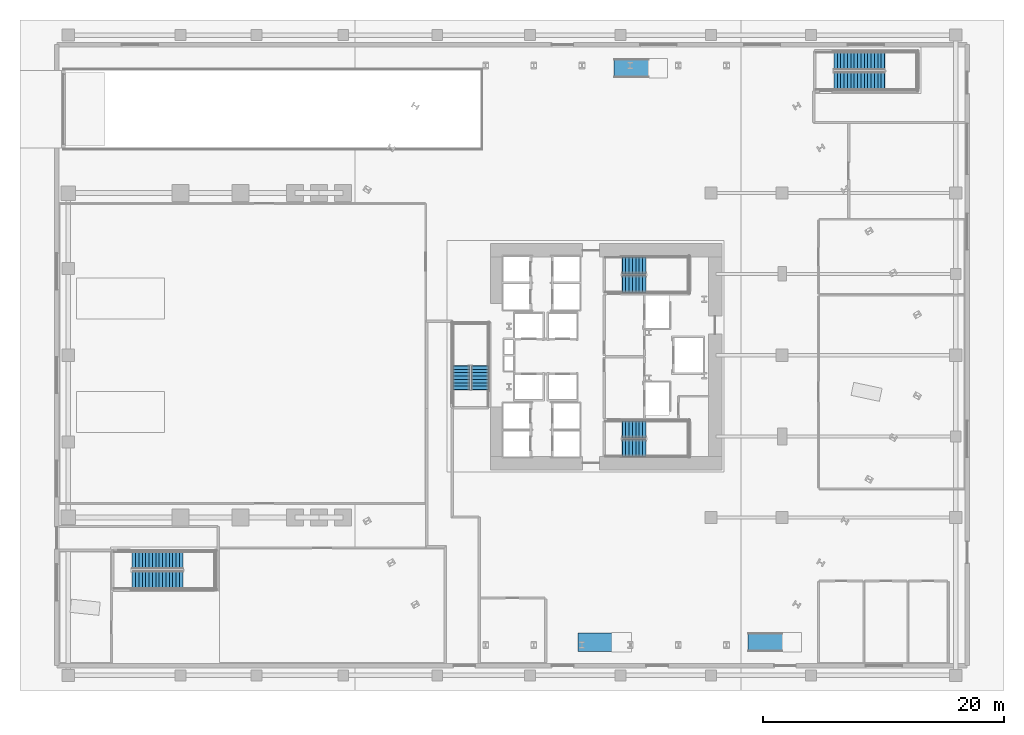
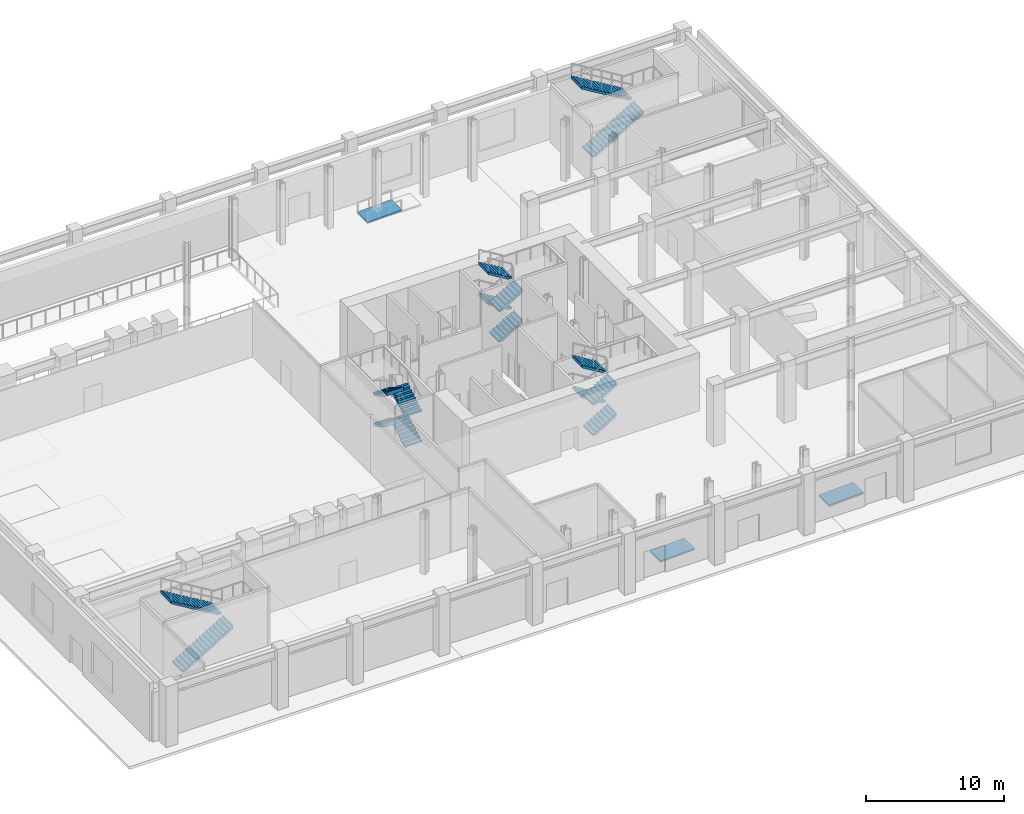
# One storey, part 8 of 18: 16 stair flights, 3 ramp flights, 8 elements without a shape of their own.
"""IFC4 building model written with IfcOpenShell, lengths in metres."""

from ifc_helpers import new_model, si_unit, direction, frame, origin, place, context, subcontext, project, spatial, polyline, outline, extrude, polygons, material, layer, layer_set, type_object, element, aggregate, save


model = new_model("IFC4")

# Units and contexts
model_context = context("Model", 3, precision=1e-05, world=origin(), true_north=direction((0.0, 1.0)))
body_context = subcontext(model_context, "Body", "Model", "MODEL_VIEW")
ifc_project = project(units=[si_unit("LENGTHUNIT", "METRE"), si_unit("AREAUNIT", "SQUARE_METRE"), si_unit("VOLUMEUNIT", "CUBIC_METRE"), si_unit("PLANEANGLEUNIT", "RADIAN"), si_unit("MASSUNIT", "GRAM", prefix="KILO")], contexts=[model_context])

# Site, building, storey
site_placement = place(None, origin())
site = spatial("IfcSite", under=ifc_project, at=site_placement, CompositionType="ELEMENT")
building_placement = place(site_placement, origin())
building = spatial("IfcBuilding", under=site, at=building_placement, Name="Valkerne Bourse Tower", CompositionType="ELEMENT")
storey_placement = place(building_placement, origin())
storey = spatial("IfcBuildingStorey", under=building, at=storey_placement, Name="L00", CompositionType="ELEMENT", Elevation=0.0)

# Stair, stair flights
ifc_material = material(Name="Concrete C40/50", Category="concrete")
stair_type_1 = type_object("IfcStairType", Name="ST-CORE-1400", PredefinedType="HALF_TURN_STAIR", material=ifc_material)
stair_1_placement = place(storey_placement, origin())
stair_1 = element("IfcStair", 1, at=stair_1_placement, inside=storey, type_object=stair_type_1, Name="L00 ST-1", PredefinedType="HALF_TURN_STAIR")
stair_flight_type_1 = type_object("IfcStairFlightType", Name="STF-CORE-1400", PredefinedType="STRAIGHT", material=ifc_material)
stair_flight_1_placement = place(storey_placement, frame((48.14990234375, 19.300048828125, 0.0), z_axis=(0.0, 0.0, 1.0), x_axis=(1.0, 0.0, 0.0)))
stair_flight_1 = element("IfcStairFlight", 2, at=stair_flight_1_placement, type_object=stair_flight_type_1, Name="ST-1 flight 1", NumberOfRisers=8, NumberOfTreads=7, PredefinedType="STRAIGHT", RiserHeight=0.16875, TreadLength=0.28, context=body_context, shape_type="SweptSolid", body=[
    extrude(outline(polyline([(-0.02001953125, 0.0), (-0.02001953125, 0.044921875), (0.0, 0.044921875), (0.0, 0.168701171875), (0.280029296875, 0.168701171875), (0.280029296875, 0.33740234375), (0.56005859375, 0.33740234375), (0.56005859375, 0.50634765625), (0.840087890625, 0.50634765625), (0.840087890625, 0.675048828125), (1.1201171875, 0.675048828125), (1.1201171875, 0.84375), (1.39990234375, 0.84375), (1.39990234375, 1.012451171875), (1.679931640625, 1.012451171875), (1.679931640625, 1.18115234375), (1.9599609375, 1.18115234375), (1.9599609375, 1.35009765625), (1.97998046875, 1.35009765625), (1.97998046875, 1.22998046875), (1.9599609375, 1.00634765625), (0.29052734375, 0.0), (-0.02001953125, 0.0)])), frame((0.0, 0.699951171875, 0.0), z_axis=(0.0, -1.0, 0.0), x_axis=(1.0, 0.0, 0.0)), (0.0, 0.0, 1.0), 1.39990234375),
])
stair_flight_2_placement = place(storey_placement, frame((50.110107421875, 20.85009765625, 1.35009765625), z_axis=(0.0, 0.0, 1.0), x_axis=(-1.0, 0.0, 0.0)))
stair_flight_2 = element("IfcStairFlight", 3, at=stair_flight_2_placement, type_object=stair_flight_type_1, Name="ST-1 flight 2", NumberOfRisers=8, NumberOfTreads=7, PredefinedType="STRAIGHT", RiserHeight=0.16875, TreadLength=0.28, context=body_context, shape_type="SweptSolid", body=[
    extrude(outline(polyline([(-0.02001953125, 0.0), (-0.02001953125, 0.044921875), (0.0, 0.044921875), (0.0, 0.168701171875), (0.280029296875, 0.168701171875), (0.280029296875, 0.33740234375), (0.56005859375, 0.33740234375), (0.56005859375, 0.50634765625), (0.840087890625, 0.50634765625), (0.840087890625, 0.675048828125), (1.1201171875, 0.675048828125), (1.1201171875, 0.84375), (1.39990234375, 0.84375), (1.39990234375, 1.012451171875), (1.679931640625, 1.012451171875), (1.679931640625, 1.18115234375), (1.9599609375, 1.18115234375), (1.9599609375, 1.35009765625), (1.97998046875, 1.35009765625), (1.97998046875, 1.22998046875), (1.9599609375, 1.00634765625), (0.29052734375, 0.0), (-0.02001953125, 0.0)])), frame((0.0, 0.699951171875, 0.0), z_axis=(0.0, -1.0, 0.0), x_axis=(1.0, 0.0, 0.0)), (0.0, 0.0, 1.0), 1.39990234375),
])
stair_flight_3_placement = place(storey_placement, frame((48.14990234375, 19.300048828125, 2.699951171875), z_axis=(0.0, 0.0, 1.0), x_axis=(1.0, 0.0, 0.0)))
stair_flight_3 = element("IfcStairFlight", 4, at=stair_flight_3_placement, type_object=stair_flight_type_1, Name="ST-1 flight 3", NumberOfRisers=8, NumberOfTreads=7, PredefinedType="STRAIGHT", RiserHeight=0.16875, TreadLength=0.28, context=body_context, shape_type="SweptSolid", body=[
    extrude(outline(polyline([(-0.02001953125, 0.0), (-0.02001953125, 0.044921875), (0.0, 0.044921875), (0.0, 0.168701171875), (0.280029296875, 0.168701171875), (0.280029296875, 0.33740234375), (0.56005859375, 0.33740234375), (0.56005859375, 0.50634765625), (0.840087890625, 0.50634765625), (0.840087890625, 0.675048828125), (1.1201171875, 0.675048828125), (1.1201171875, 0.84375), (1.39990234375, 0.84375), (1.39990234375, 1.012451171875), (1.679931640625, 1.012451171875), (1.679931640625, 1.18115234375), (1.9599609375, 1.18115234375), (1.9599609375, 1.35009765625), (1.97998046875, 1.35009765625), (1.97998046875, 1.22998046875), (1.9599609375, 1.00634765625), (0.29052734375, 0.0), (-0.02001953125, 0.0)])), frame((0.0, 0.699951171875, 0.0), z_axis=(0.0, -1.0, 0.0), x_axis=(1.0, 0.0, 0.0)), (0.0, 0.0, 1.0), 1.39990234375),
])
stair_flight_4_placement = place(storey_placement, frame((50.110107421875, 20.85009765625, 4.050048828125), z_axis=(0.0, 0.0, 1.0), x_axis=(-1.0, 0.0, 0.0)))
stair_flight_4 = element("IfcStairFlight", 5, at=stair_flight_4_placement, type_object=stair_flight_type_1, Name="ST-1 flight 4", NumberOfRisers=8, NumberOfTreads=7, PredefinedType="STRAIGHT", RiserHeight=0.16875, TreadLength=0.28, context=body_context, shape_type="SweptSolid", body=[
    extrude(outline(polyline([(-0.02001953125, 0.0), (-0.02001953125, 0.044921875), (0.0, 0.044921875), (0.0, 0.168701171875), (0.280029296875, 0.168701171875), (0.280029296875, 0.33740234375), (0.56005859375, 0.33740234375), (0.56005859375, 0.50634765625), (0.840087890625, 0.50634765625), (0.840087890625, 0.675048828125), (1.1201171875, 0.675048828125), (1.1201171875, 0.84375), (1.39990234375, 0.84375), (1.39990234375, 1.012451171875), (1.679931640625, 1.012451171875), (1.679931640625, 1.18115234375), (1.9599609375, 1.18115234375), (1.9599609375, 1.35009765625), (1.97998046875, 1.35009765625), (1.97998046875, 1.22998046875), (1.9599609375, 1.00634765625), (0.29052734375, 0.0), (-0.02001953125, 0.0)])), frame((0.0, 0.699951171875, 0.0), z_axis=(0.0, -1.0, 0.0), x_axis=(1.0, 0.0, 0.0)), (0.0, 0.0, 1.0), 1.39990234375),
])
aggregate(stair_1, [stair_flight_1, stair_flight_2, stair_flight_3, stair_flight_4])

stair_2_placement = place(storey_placement, origin())
stair_2 = element("IfcStair", 6, at=stair_2_placement, inside=storey, type_object=stair_type_1, Name="L00 ST-2", PredefinedType="HALF_TURN_STAIR")
stair_flight_5_placement = place(storey_placement, frame((48.14990234375, 32.89990234375, 0.0), z_axis=(0.0, 0.0, 1.0), x_axis=(1.0, 0.0, 0.0)))
stair_flight_5 = element("IfcStairFlight", 7, at=stair_flight_5_placement, type_object=stair_flight_type_1, Name="ST-2 flight 1", NumberOfRisers=8, NumberOfTreads=7, PredefinedType="STRAIGHT", RiserHeight=0.16875, TreadLength=0.28, context=body_context, shape_type="SweptSolid", body=[
    extrude(outline(polyline([(-0.02001953125, 0.0), (-0.02001953125, 0.044921875), (0.0, 0.044921875), (0.0, 0.168701171875), (0.280029296875, 0.168701171875), (0.280029296875, 0.33740234375), (0.56005859375, 0.33740234375), (0.56005859375, 0.50634765625), (0.840087890625, 0.50634765625), (0.840087890625, 0.675048828125), (1.1201171875, 0.675048828125), (1.1201171875, 0.84375), (1.39990234375, 0.84375), (1.39990234375, 1.012451171875), (1.679931640625, 1.012451171875), (1.679931640625, 1.18115234375), (1.9599609375, 1.18115234375), (1.9599609375, 1.35009765625), (1.97998046875, 1.35009765625), (1.97998046875, 1.22998046875), (1.9599609375, 1.00634765625), (0.29052734375, 0.0), (-0.02001953125, 0.0)])), frame((0.0, 0.699951171875, 0.0), z_axis=(0.0, -1.0, 0.0), x_axis=(1.0, 0.0, 0.0)), (0.0, 0.0, 1.0), 1.39990234375),
])
stair_flight_6_placement = place(storey_placement, frame((50.110107421875, 34.449951171875, 1.35009765625), z_axis=(0.0, 0.0, 1.0), x_axis=(-1.0, 0.0, 0.0)))
stair_flight_6 = element("IfcStairFlight", 8, at=stair_flight_6_placement, type_object=stair_flight_type_1, Name="ST-2 flight 2", NumberOfRisers=8, NumberOfTreads=7, PredefinedType="STRAIGHT", RiserHeight=0.16875, TreadLength=0.28, context=body_context, shape_type="SweptSolid", body=[
    extrude(outline(polyline([(-0.02001953125, 0.0), (-0.02001953125, 0.044921875), (0.0, 0.044921875), (0.0, 0.168701171875), (0.280029296875, 0.168701171875), (0.280029296875, 0.33740234375), (0.56005859375, 0.33740234375), (0.56005859375, 0.50634765625), (0.840087890625, 0.50634765625), (0.840087890625, 0.675048828125), (1.1201171875, 0.675048828125), (1.1201171875, 0.84375), (1.39990234375, 0.84375), (1.39990234375, 1.012451171875), (1.679931640625, 1.012451171875), (1.679931640625, 1.18115234375), (1.9599609375, 1.18115234375), (1.9599609375, 1.35009765625), (1.97998046875, 1.35009765625), (1.97998046875, 1.22998046875), (1.9599609375, 1.00634765625), (0.29052734375, 0.0), (-0.02001953125, 0.0)])), frame((0.0, 0.699951171875, 0.0), z_axis=(0.0, -1.0, 0.0), x_axis=(1.0, 0.0, 0.0)), (0.0, 0.0, 1.0), 1.39990234375),
])
stair_flight_7_placement = place(storey_placement, frame((48.14990234375, 32.89990234375, 2.699951171875), z_axis=(0.0, 0.0, 1.0), x_axis=(1.0, 0.0, 0.0)))
stair_flight_7 = element("IfcStairFlight", 9, at=stair_flight_7_placement, type_object=stair_flight_type_1, Name="ST-2 flight 3", NumberOfRisers=8, NumberOfTreads=7, PredefinedType="STRAIGHT", RiserHeight=0.16875, TreadLength=0.28, context=body_context, shape_type="SweptSolid", body=[
    extrude(outline(polyline([(-0.02001953125, 0.0), (-0.02001953125, 0.044921875), (0.0, 0.044921875), (0.0, 0.168701171875), (0.280029296875, 0.168701171875), (0.280029296875, 0.33740234375), (0.56005859375, 0.33740234375), (0.56005859375, 0.50634765625), (0.840087890625, 0.50634765625), (0.840087890625, 0.675048828125), (1.1201171875, 0.675048828125), (1.1201171875, 0.84375), (1.39990234375, 0.84375), (1.39990234375, 1.012451171875), (1.679931640625, 1.012451171875), (1.679931640625, 1.18115234375), (1.9599609375, 1.18115234375), (1.9599609375, 1.35009765625), (1.97998046875, 1.35009765625), (1.97998046875, 1.22998046875), (1.9599609375, 1.00634765625), (0.29052734375, 0.0), (-0.02001953125, 0.0)])), frame((0.0, 0.699951171875, 0.0), z_axis=(0.0, -1.0, 0.0), x_axis=(1.0, 0.0, 0.0)), (0.0, 0.0, 1.0), 1.39990234375),
])
stair_flight_8_placement = place(storey_placement, frame((50.110107421875, 34.449951171875, 4.050048828125), z_axis=(0.0, 0.0, 1.0), x_axis=(-1.0, 0.0, 0.0)))
stair_flight_8 = element("IfcStairFlight", 10, at=stair_flight_8_placement, type_object=stair_flight_type_1, Name="ST-2 flight 4", NumberOfRisers=8, NumberOfTreads=7, PredefinedType="STRAIGHT", RiserHeight=0.16875, TreadLength=0.28, context=body_context, shape_type="SweptSolid", body=[
    extrude(outline(polyline([(-0.02001953125, 0.0), (-0.02001953125, 0.044921875), (0.0, 0.044921875), (0.0, 0.168701171875), (0.280029296875, 0.168701171875), (0.280029296875, 0.33740234375), (0.56005859375, 0.33740234375), (0.56005859375, 0.50634765625), (0.840087890625, 0.50634765625), (0.840087890625, 0.675048828125), (1.1201171875, 0.675048828125), (1.1201171875, 0.84375), (1.39990234375, 0.84375), (1.39990234375, 1.012451171875), (1.679931640625, 1.012451171875), (1.679931640625, 1.18115234375), (1.9599609375, 1.18115234375), (1.9599609375, 1.35009765625), (1.97998046875, 1.35009765625), (1.97998046875, 1.22998046875), (1.9599609375, 1.00634765625), (0.29052734375, 0.0), (-0.02001953125, 0.0)])), frame((0.0, 0.699951171875, 0.0), z_axis=(0.0, -1.0, 0.0), x_axis=(1.0, 0.0, 0.0)), (0.0, 0.0, 1.0), 1.39990234375),
])
aggregate(stair_2, [stair_flight_5, stair_flight_6, stair_flight_7, stair_flight_8])

stair_3_placement = place(storey_placement, origin())
stair_3 = element("IfcStair", 11, at=stair_3_placement, inside=storey, type_object=stair_type_1, Name="L00 ST-3", PredefinedType="HALF_TURN_STAIR")
stair_flight_9_placement = place(storey_placement, frame((36.35009765625, 24.14990234375, 0.0), z_axis=(0.0, 0.0, 1.0), x_axis=(0.0, 1.0, 0.0)))
stair_flight_9 = element("IfcStairFlight", 12, at=stair_flight_9_placement, type_object=stair_flight_type_1, Name="ST-3 flight 1", NumberOfRisers=8, NumberOfTreads=7, PredefinedType="STRAIGHT", RiserHeight=0.16875, TreadLength=0.28, context=body_context, shape_type="SweptSolid", body=[
    extrude(outline(polyline([(-0.02001953125, 0.0), (-0.02001953125, 0.044921875), (0.0, 0.044921875), (0.0, 0.168701171875), (0.280029296875, 0.168701171875), (0.280029296875, 0.33740234375), (0.56005859375, 0.33740234375), (0.56005859375, 0.50634765625), (0.840087890625, 0.50634765625), (0.840087890625, 0.675048828125), (1.1201171875, 0.675048828125), (1.1201171875, 0.84375), (1.39990234375, 0.84375), (1.39990234375, 1.012451171875), (1.679931640625, 1.012451171875), (1.679931640625, 1.18115234375), (1.9599609375, 1.18115234375), (1.9599609375, 1.35009765625), (1.97998046875, 1.35009765625), (1.97998046875, 1.22998046875), (1.9599609375, 1.00634765625), (0.29052734375, 0.0), (-0.02001953125, 0.0)])), frame((0.0, 0.699951171875, 0.0), z_axis=(0.0, -1.0, 0.0), x_axis=(1.0, 0.0, 0.0)), (0.0, 0.0, 1.0), 1.39990234375),
])
stair_flight_10_placement = place(storey_placement, frame((34.800048828125, 26.110107421875, 1.35009765625), z_axis=(0.0, 0.0, 1.0), x_axis=(0.0, -1.0, 0.0)))
stair_flight_10 = element("IfcStairFlight", 13, at=stair_flight_10_placement, type_object=stair_flight_type_1, Name="ST-3 flight 2", NumberOfRisers=8, NumberOfTreads=7, PredefinedType="STRAIGHT", RiserHeight=0.16875, TreadLength=0.28, context=body_context, shape_type="SweptSolid", body=[
    extrude(outline(polyline([(-0.02001953125, 0.0), (-0.02001953125, 0.044921875), (0.0, 0.044921875), (0.0, 0.168701171875), (0.280029296875, 0.168701171875), (0.280029296875, 0.33740234375), (0.56005859375, 0.33740234375), (0.56005859375, 0.50634765625), (0.840087890625, 0.50634765625), (0.840087890625, 0.675048828125), (1.1201171875, 0.675048828125), (1.1201171875, 0.84375), (1.39990234375, 0.84375), (1.39990234375, 1.012451171875), (1.679931640625, 1.012451171875), (1.679931640625, 1.18115234375), (1.9599609375, 1.18115234375), (1.9599609375, 1.35009765625), (1.97998046875, 1.35009765625), (1.97998046875, 1.22998046875), (1.9599609375, 1.00634765625), (0.29052734375, 0.0), (-0.02001953125, 0.0)])), frame((0.0, 0.699951171875, 0.0), z_axis=(0.0, -1.0, 0.0), x_axis=(1.0, 0.0, 0.0)), (0.0, 0.0, 1.0), 1.39990234375),
])
stair_flight_11_placement = place(storey_placement, frame((36.35009765625, 24.14990234375, 2.699951171875), z_axis=(0.0, 0.0, 1.0), x_axis=(0.0, 1.0, 0.0)))
stair_flight_11 = element("IfcStairFlight", 14, at=stair_flight_11_placement, type_object=stair_flight_type_1, Name="ST-3 flight 3", NumberOfRisers=8, NumberOfTreads=7, PredefinedType="STRAIGHT", RiserHeight=0.16875, TreadLength=0.28, context=body_context, shape_type="SweptSolid", body=[
    extrude(outline(polyline([(-0.02001953125, 0.0), (-0.02001953125, 0.044921875), (0.0, 0.044921875), (0.0, 0.168701171875), (0.280029296875, 0.168701171875), (0.280029296875, 0.33740234375), (0.56005859375, 0.33740234375), (0.56005859375, 0.50634765625), (0.840087890625, 0.50634765625), (0.840087890625, 0.675048828125), (1.1201171875, 0.675048828125), (1.1201171875, 0.84375), (1.39990234375, 0.84375), (1.39990234375, 1.012451171875), (1.679931640625, 1.012451171875), (1.679931640625, 1.18115234375), (1.9599609375, 1.18115234375), (1.9599609375, 1.35009765625), (1.97998046875, 1.35009765625), (1.97998046875, 1.22998046875), (1.9599609375, 1.00634765625), (0.29052734375, 0.0), (-0.02001953125, 0.0)])), frame((0.0, 0.699951171875, 0.0), z_axis=(0.0, -1.0, 0.0), x_axis=(1.0, 0.0, 0.0)), (0.0, 0.0, 1.0), 1.39990234375),
])
stair_flight_12_placement = place(storey_placement, frame((34.800048828125, 26.110107421875, 4.050048828125), z_axis=(0.0, 0.0, 1.0), x_axis=(0.0, -1.0, 0.0)))
stair_flight_12 = element("IfcStairFlight", 15, at=stair_flight_12_placement, type_object=stair_flight_type_1, Name="ST-3 flight 4", NumberOfRisers=8, NumberOfTreads=7, PredefinedType="STRAIGHT", RiserHeight=0.16875, TreadLength=0.28, context=body_context, shape_type="SweptSolid", body=[
    extrude(outline(polyline([(-0.02001953125, 0.0), (-0.02001953125, 0.044921875), (0.0, 0.044921875), (0.0, 0.168701171875), (0.280029296875, 0.168701171875), (0.280029296875, 0.33740234375), (0.56005859375, 0.33740234375), (0.56005859375, 0.50634765625), (0.840087890625, 0.50634765625), (0.840087890625, 0.675048828125), (1.1201171875, 0.675048828125), (1.1201171875, 0.84375), (1.39990234375, 0.84375), (1.39990234375, 1.012451171875), (1.679931640625, 1.012451171875), (1.679931640625, 1.18115234375), (1.9599609375, 1.18115234375), (1.9599609375, 1.35009765625), (1.97998046875, 1.35009765625), (1.97998046875, 1.22998046875), (1.9599609375, 1.00634765625), (0.29052734375, 0.0), (-0.02001953125, 0.0)])), frame((0.0, 0.699951171875, 0.0), z_axis=(0.0, -1.0, 0.0), x_axis=(1.0, 0.0, 0.0)), (0.0, 0.0, 1.0), 1.39990234375),
])
aggregate(stair_3, [stair_flight_9, stair_flight_10, stair_flight_11, stair_flight_12])

stair_type_2 = type_object("IfcStairType", Name="ST-POD-1500", PredefinedType="HALF_TURN_STAIR", material=ifc_material)
stair_4_placement = place(storey_placement, origin())
stair_4 = element("IfcStair", 16, at=stair_4_placement, inside=storey, type_object=stair_type_2, Name="L00 ST-P1", PredefinedType="HALF_TURN_STAIR")
stair_flight_type_2 = type_object("IfcStairFlightType", Name="STF-POD-1500", PredefinedType="STRAIGHT", material=ifc_material)
stair_flight_13_placement = place(storey_placement, frame((7.5, 8.35009765625, 0.0), z_axis=(0.0, 0.0, 1.0), x_axis=(1.0, 0.0, 0.0)))
stair_flight_13 = element("IfcStairFlight", 17, at=stair_flight_13_placement, type_object=stair_flight_type_2, Name="ST-P1 flight 1", NumberOfRisers=16, NumberOfTreads=15, PredefinedType="STRAIGHT", RiserHeight=0.16875, TreadLength=0.28, context=body_context, shape_type="SweptSolid", body=[
    extrude(outline(polyline([(-0.02001953125, 0.0), (-0.02001953125, 0.044921875), (0.0, 0.044921875), (0.0, 0.168701171875), (0.280029296875, 0.168701171875), (0.280029296875, 0.33740234375), (0.56005859375, 0.33740234375), (0.56005859375, 0.50634765625), (0.840087890625, 0.50634765625), (0.840087890625, 0.675048828125), (1.1201171875, 0.675048828125), (1.1201171875, 0.84375), (1.39990234375, 0.84375), (1.39990234375, 1.012451171875), (1.679931640625, 1.012451171875), (1.679931640625, 1.18115234375), (1.9599609375, 1.18115234375), (1.9599609375, 1.35009765625), (2.239990234375, 1.35009765625), (2.239990234375, 1.518798828125), (2.52001953125, 1.518798828125), (2.52001953125, 1.6875), (2.800048828125, 1.6875), (2.800048828125, 1.856201171875), (3.080078125, 1.856201171875), (3.080078125, 2.02490234375), (3.360107421875, 2.02490234375), (3.360107421875, 2.19384765625), (3.639892578125, 2.19384765625), (3.639892578125, 2.362548828125), (3.919921875, 2.362548828125), (3.919921875, 2.53125), (4.199951171875, 2.53125), (4.199951171875, 2.699951171875), (4.219970703125, 2.699951171875), (4.219970703125, 2.580078125), (4.199951171875, 2.356201171875), (0.29052734375, 0.0), (-0.02001953125, 0.0)])), frame((0.0, 0.75, 0.0), z_axis=(0.0, -1.0, 0.0), x_axis=(1.0, 0.0, 0.0)), (0.0, 0.0, 1.0), 1.5),
])
stair_flight_14_placement = place(storey_placement, frame((11.699951171875, 10.0, 2.699951171875), z_axis=(0.0, 0.0, 1.0), x_axis=(-1.0, 0.0, 0.0)))
stair_flight_14 = element("IfcStairFlight", 18, at=stair_flight_14_placement, type_object=stair_flight_type_2, Name="ST-P1 flight 2", NumberOfRisers=16, NumberOfTreads=15, PredefinedType="STRAIGHT", RiserHeight=0.16875, TreadLength=0.28, context=body_context, shape_type="SweptSolid", body=[
    extrude(outline(polyline([(-0.02001953125, 0.0), (-0.02001953125, 0.044921875), (0.0, 0.044921875), (0.0, 0.168701171875), (0.280029296875, 0.168701171875), (0.280029296875, 0.33740234375), (0.56005859375, 0.33740234375), (0.56005859375, 0.50634765625), (0.840087890625, 0.50634765625), (0.840087890625, 0.675048828125), (1.1201171875, 0.675048828125), (1.1201171875, 0.84375), (1.39990234375, 0.84375), (1.39990234375, 1.012451171875), (1.679931640625, 1.012451171875), (1.679931640625, 1.18115234375), (1.9599609375, 1.18115234375), (1.9599609375, 1.35009765625), (2.239990234375, 1.35009765625), (2.239990234375, 1.518798828125), (2.52001953125, 1.518798828125), (2.52001953125, 1.6875), (2.800048828125, 1.6875), (2.800048828125, 1.856201171875), (3.080078125, 1.856201171875), (3.080078125, 2.02490234375), (3.360107421875, 2.02490234375), (3.360107421875, 2.19384765625), (3.639892578125, 2.19384765625), (3.639892578125, 2.362548828125), (3.919921875, 2.362548828125), (3.919921875, 2.53125), (4.199951171875, 2.53125), (4.199951171875, 2.699951171875), (4.219970703125, 2.699951171875), (4.219970703125, 2.580078125), (4.199951171875, 2.356201171875), (0.29052734375, 0.0), (-0.02001953125, 0.0)])), frame((0.0, 0.75, 0.0), z_axis=(0.0, -1.0, 0.0), x_axis=(1.0, 0.0, 0.0)), (0.0, 0.0, 1.0), 1.5),
])
aggregate(stair_4, [stair_flight_13, stair_flight_14])

stair_5_placement = place(storey_placement, origin())
stair_5 = element("IfcStair", 19, at=stair_5_placement, inside=storey, type_object=stair_type_2, Name="L00 ST-P2", PredefinedType="HALF_TURN_STAIR")
stair_flight_15_placement = place(storey_placement, frame((65.699951171875, 49.75, 0.0), z_axis=(0.0, 0.0, 1.0), x_axis=(1.0, 0.0, 0.0)))
stair_flight_15 = element("IfcStairFlight", 20, at=stair_flight_15_placement, type_object=stair_flight_type_2, Name="ST-P2 flight 1", NumberOfRisers=16, NumberOfTreads=15, PredefinedType="STRAIGHT", RiserHeight=0.16875, TreadLength=0.28, context=body_context, shape_type="SweptSolid", body=[
    extrude(outline(polyline([(-0.02001953125, 0.0), (-0.02001953125, 0.044921875), (0.0, 0.044921875), (0.0, 0.168701171875), (0.280029296875, 0.168701171875), (0.280029296875, 0.33740234375), (0.56005859375, 0.33740234375), (0.56005859375, 0.50634765625), (0.840087890625, 0.50634765625), (0.840087890625, 0.675048828125), (1.1201171875, 0.675048828125), (1.1201171875, 0.84375), (1.39990234375, 0.84375), (1.39990234375, 1.012451171875), (1.679931640625, 1.012451171875), (1.679931640625, 1.18115234375), (1.9599609375, 1.18115234375), (1.9599609375, 1.35009765625), (2.239990234375, 1.35009765625), (2.239990234375, 1.518798828125), (2.52001953125, 1.518798828125), (2.52001953125, 1.6875), (2.800048828125, 1.6875), (2.800048828125, 1.856201171875), (3.080078125, 1.856201171875), (3.080078125, 2.02490234375), (3.360107421875, 2.02490234375), (3.360107421875, 2.19384765625), (3.639892578125, 2.19384765625), (3.639892578125, 2.362548828125), (3.919921875, 2.362548828125), (3.919921875, 2.53125), (4.199951171875, 2.53125), (4.199951171875, 2.699951171875), (4.219970703125, 2.699951171875), (4.219970703125, 2.580078125), (4.199951171875, 2.356201171875), (0.29052734375, 0.0), (-0.02001953125, 0.0)])), frame((0.0, 0.75, 0.0), z_axis=(0.0, -1.0, 0.0), x_axis=(1.0, 0.0, 0.0)), (0.0, 0.0, 1.0), 1.5),
])
stair_flight_16_placement = place(storey_placement, frame((69.89990234375, 51.39990234375, 2.699951171875), z_axis=(0.0, 0.0, 1.0), x_axis=(-1.0, 0.0, 0.0)))
stair_flight_16 = element("IfcStairFlight", 21, at=stair_flight_16_placement, type_object=stair_flight_type_2, Name="ST-P2 flight 2", NumberOfRisers=16, NumberOfTreads=15, PredefinedType="STRAIGHT", RiserHeight=0.16875, TreadLength=0.28, context=body_context, shape_type="SweptSolid", body=[
    extrude(outline(polyline([(-0.02001953125, 0.0), (-0.02001953125, 0.044921875), (0.0, 0.044921875), (0.0, 0.168701171875), (0.280029296875, 0.168701171875), (0.280029296875, 0.33740234375), (0.56005859375, 0.33740234375), (0.56005859375, 0.50634765625), (0.840087890625, 0.50634765625), (0.840087890625, 0.675048828125), (1.1201171875, 0.675048828125), (1.1201171875, 0.84375), (1.39990234375, 0.84375), (1.39990234375, 1.012451171875), (1.679931640625, 1.012451171875), (1.679931640625, 1.18115234375), (1.9599609375, 1.18115234375), (1.9599609375, 1.35009765625), (2.239990234375, 1.35009765625), (2.239990234375, 1.518798828125), (2.52001953125, 1.518798828125), (2.52001953125, 1.6875), (2.800048828125, 1.6875), (2.800048828125, 1.856201171875), (3.080078125, 1.856201171875), (3.080078125, 2.02490234375), (3.360107421875, 2.02490234375), (3.360107421875, 2.19384765625), (3.639892578125, 2.19384765625), (3.639892578125, 2.362548828125), (3.919921875, 2.362548828125), (3.919921875, 2.53125), (4.199951171875, 2.53125), (4.199951171875, 2.699951171875), (4.219970703125, 2.699951171875), (4.219970703125, 2.580078125), (4.199951171875, 2.356201171875), (0.29052734375, 0.0), (-0.02001953125, 0.0)])), frame((0.0, 0.75, 0.0), z_axis=(0.0, -1.0, 0.0), x_axis=(1.0, 0.0, 0.0)), (0.0, 0.0, 1.0), 1.5),
])
aggregate(stair_5, [stair_flight_15, stair_flight_16])

# Ramp, ramp flight
ramp_type = type_object("IfcRampType", Name="RMP-PED-TYPE", PredefinedType="STRAIGHT_RUN_RAMP", material=ifc_material)
ramp_1_placement = place(storey_placement, origin())
ramp_1 = element("IfcRamp", 22, at=ramp_1_placement, inside=storey, type_object=ramp_type, Name="East Lobby Threshold Accessible Ramp 1", PredefinedType="STRAIGHT_RUN_RAMP")
ifc_layer = layer(ifc_material, 0.199951171875)
ifc_layer_set = layer_set([ifc_layer], Name="Concrete C40/50")
ramp_flight_type = type_object("IfcRampFlightType", Name="RMP-PED-FLIGHT", PredefinedType="STRAIGHT", material=ifc_layer_set)
ramp_flight_1_placement = place(storey_placement, origin())
ramp_flight_1 = element("IfcRampFlight", 23, at=ramp_flight_1_placement, type_object=ramp_flight_type, Name="East Lobby Threshold Accessible Ramp 1 Flight 1", PredefinedType="STRAIGHT", context=body_context, shape_type="Tessellation", body=[
    polygons([(58.570068359375, 2.449951171875, 0.038818359375), (58.570068359375, 2.449951171875, -0.121337890625), (61.429931640625, 2.449951171875, 0.161376953125), (61.429931640625, 2.449951171875, 0.001220703125), (61.429931640625, 3.949951171875, 0.161376953125), (61.429931640625, 3.949951171875, 0.001220703125), (58.570068359375, 3.949951171875, 0.038818359375), (58.570068359375, 3.949951171875, -0.121337890625)], [[[1, 5, 7]], [[2, 8, 6]], [[5, 1, 3]], [[6, 4, 2]], [[1, 2, 4, 3]], [[3, 4, 6, 5]], [[5, 6, 8, 7]], [[7, 8, 2, 1]]], closed=True),
])
aggregate(ramp_1, [ramp_flight_1])

ramp_2_placement = place(storey_placement, origin())
ramp_2 = element("IfcRamp", 24, at=ramp_2_placement, inside=storey, type_object=ramp_type, Name="North Concourse Threshold Accessible Ramp 2", PredefinedType="STRAIGHT_RUN_RAMP")
ramp_flight_2_placement = place(storey_placement, origin())
ramp_flight_2 = element("IfcRampFlight", 25, at=ramp_flight_2_placement, type_object=ramp_flight_type, Name="North Concourse Threshold Accessible Ramp 2 Flight 1", PredefinedType="STRAIGHT", context=body_context, shape_type="Tessellation", body=[
    polygons([(47.469970703125, 50.050048828125, 0.038818359375), (47.469970703125, 50.050048828125, -0.121337890625), (50.330078125, 50.050048828125, 0.161376953125), (50.330078125, 50.050048828125, 0.001220703125), (50.330078125, 51.550048828125, 0.161376953125), (50.330078125, 51.550048828125, 0.001220703125), (47.469970703125, 51.550048828125, 0.038818359375), (47.469970703125, 51.550048828125, -0.121337890625)], [[[1, 5, 7]], [[2, 8, 6]], [[5, 1, 3]], [[6, 4, 2]], [[1, 2, 4, 3]], [[3, 4, 6, 5]], [[5, 6, 8, 7]], [[7, 8, 2, 1]]], closed=True),
])
aggregate(ramp_2, [ramp_flight_2])

ramp_3_placement = place(storey_placement, origin())
ramp_3 = element("IfcRamp", 26, at=ramp_3_placement, inside=storey, type_object=ramp_type, Name="South Main Concourse Threshold Accessible Ramp 5", PredefinedType="STRAIGHT_RUN_RAMP")
ramp_flight_3_placement = place(storey_placement, origin())
ramp_flight_3 = element("IfcRampFlight", 27, at=ramp_flight_3_placement, type_object=ramp_flight_type, Name="South Main Concourse Threshold Accessible Ramp 5 Flight 1", PredefinedType="STRAIGHT", context=body_context, shape_type="Tessellation", body=[
    polygons([(44.469970703125, 2.449951171875, 0.038818359375), (44.469970703125, 2.449951171875, -0.121337890625), (47.330078125, 2.449951171875, 0.161376953125), (47.330078125, 2.449951171875, 0.001220703125), (47.330078125, 3.949951171875, 0.161376953125), (47.330078125, 3.949951171875, 0.001220703125), (44.469970703125, 3.949951171875, 0.038818359375), (44.469970703125, 3.949951171875, -0.121337890625)], [[[1, 5, 7]], [[2, 8, 6]], [[5, 1, 3]], [[6, 4, 2]], [[1, 2, 4, 3]], [[3, 4, 6, 5]], [[5, 6, 8, 7]], [[7, 8, 2, 1]]], closed=True),
])
aggregate(ramp_3, [ramp_flight_3])

save(model, "model.ifc")
